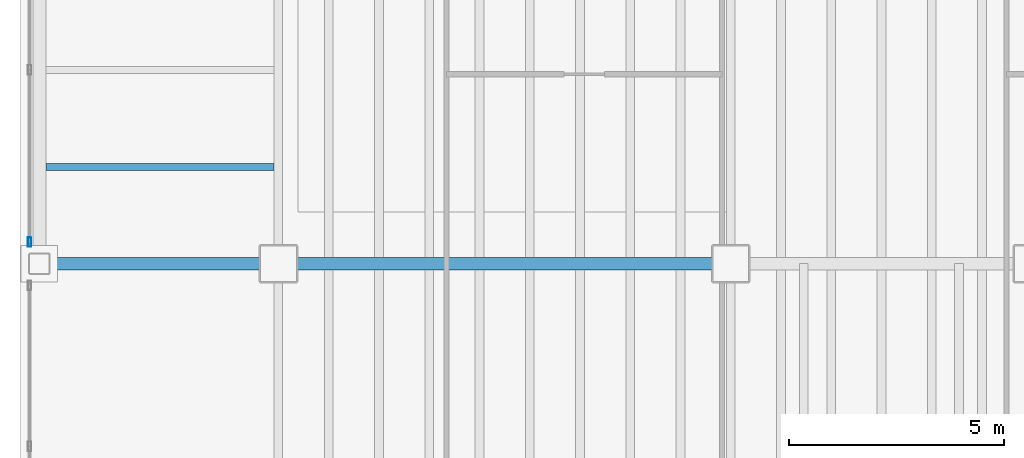
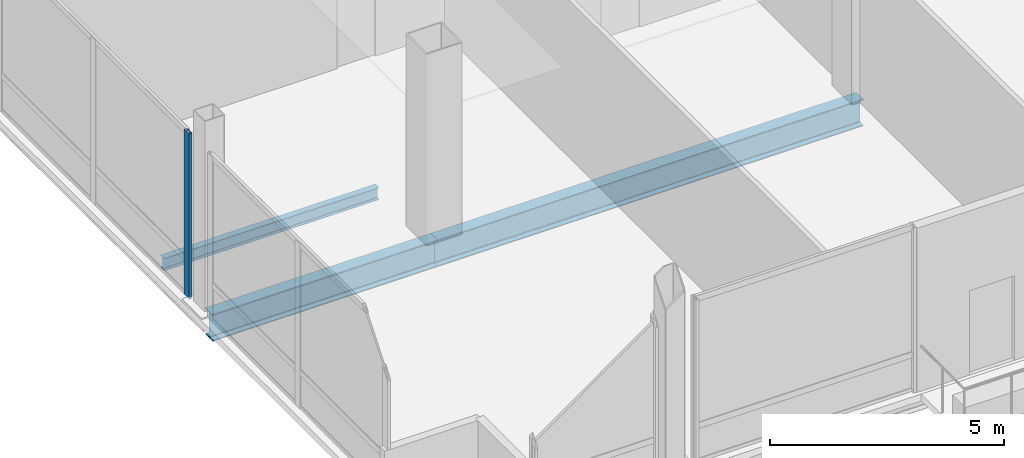
# One storey, part 4 of 22: 3 beams, 1 member, 1 element without a shape of its own.
"""IFC4 building model written with IfcOpenShell, lengths in metres."""

from ifc_helpers import new_model, si_unit, direction, frame, origin, origin_2d, place, context, subcontext, project, spatial, hollow_rectangle, i_section, extrude, material, material_profile, profile_set, type_object, element, aggregate, save


model = new_model("IFC4")

# Units and contexts
model_context = context("Model", 3, precision=1e-05, world=origin(), true_north=direction((0.0, 1.0)))
body_context = subcontext(model_context, "Body", "Model", "MODEL_VIEW")
ifc_project = project(units=[si_unit("LENGTHUNIT", "METRE"), si_unit("AREAUNIT", "SQUARE_METRE"), si_unit("VOLUMEUNIT", "CUBIC_METRE"), si_unit("PLANEANGLEUNIT", "RADIAN"), si_unit("MASSUNIT", "GRAM", prefix="KILO")], contexts=[model_context])

# Site, building, storey
site_placement = place(None, origin())
site = spatial("IfcSite", under=ifc_project, at=site_placement, CompositionType="ELEMENT")
building_placement = place(site_placement, origin())
building = spatial("IfcBuilding", under=site, at=building_placement, Name="Noeulbin Bourse Tower", CompositionType="ELEMENT")
storey_placement = place(building_placement, frame((0.0, 0.0, 106.0)))
storey = spatial("IfcBuildingStorey", under=building, at=storey_placement, Name="L26", CompositionType="ELEMENT", Elevation=106.0)

# Beams
ifc_material_1 = material(Name="Steel S355", Category="steel")
ifc_material_profile_1 = material_profile(ifc_material_1, i_section(OverallWidth=0.300048828125, OverallDepth=0.699951171875, WebThickness=0.012939453125, FlangeThickness=0.02392578125, FilletRadius=0.02392578125, at=origin_2d()), Name="H-700x300x13x24", Category="LoadBearing")
ifc_profile_set_1 = profile_set([ifc_material_profile_1], Name="Steel S355")
beam_type_1 = type_object("IfcBeamType", Name="BM-GRD-700", PredefinedType="USERDEFINED", material=ifc_profile_set_1)
beam_1_placement = place(storey_placement, frame((7.949951171875, 20.0, -0.530029296875), z_axis=(1.0, 0.0, 0.0), x_axis=(0.0, 1.0, 0.0)))
element("IfcBeam", 1, at=beam_1_placement, inside=storey, type_object=beam_type_1, Name="Tower Primary Girder EW L26-1.1", ObjectType="GIRDER", PredefinedType="USERDEFINED", context=body_context, shape_type="SweptSolid", body=[
    extrude(i_section(OverallWidth=0.300048828125, OverallDepth=0.699951171875, WebThickness=0.012939453125, FlangeThickness=0.02392578125, FilletRadius=0.02392578125, at=origin_2d()), origin(), (0.0, 0.0, 1.0), 5.550048828125),
])
beam_2_placement = place(storey_placement, frame((13.5, 20.0, -0.530029296875), z_axis=(1.0, 0.0, 0.0), x_axis=(0.0, 1.0, 0.0)))
element("IfcBeam", 2, at=beam_2_placement, inside=storey, type_object=beam_type_1, Name="Tower Primary Girder EW L26-1.2", ObjectType="GIRDER", PredefinedType="USERDEFINED", context=body_context, shape_type="SweptSolid", body=[
    extrude(i_section(OverallWidth=0.300048828125, OverallDepth=0.699951171875, WebThickness=0.012939453125, FlangeThickness=0.02392578125, FilletRadius=0.02392578125, at=origin_2d()), origin(), (0.0, 0.0, 1.0), 10.5),
])
ifc_material_profile_2 = material_profile(ifc_material_1, i_section(OverallWidth=0.159912109375, OverallDepth=0.320068359375, WebThickness=0.006591796875, FlangeThickness=0.010009765625, FilletRadius=0.012939453125, at=origin_2d()), Name="H-320x160x6.5x10", Category="LoadBearing")
ifc_profile_set_2 = profile_set([ifc_material_profile_2], Name="Steel S355")
beam_type_2 = type_object("IfcBeamType", Name="BM-JST-320", PredefinedType="JOIST", material=ifc_profile_set_2)
beam_3_placement = place(storey_placement, frame((8.10009765625, 22.25, -0.340087890625), z_axis=(1.0, 0.0, 0.0), x_axis=(0.0, 1.0, 0.0)))
element("IfcBeam", 3, at=beam_3_placement, inside=storey, type_object=beam_type_2, Name="Wing Composite Joist L26-W70", PredefinedType="JOIST", context=body_context, shape_type="SweptSolid", body=[
    extrude(i_section(OverallWidth=0.159912109375, OverallDepth=0.320068359375, WebThickness=0.006591796875, FlangeThickness=0.010009765625, FilletRadius=0.012939453125, at=origin_2d()), origin(), (0.0, 0.0, 1.0), 5.2998046875),
])

# Curtain wall, member
ifc_material_2 = material(Name="Dark Tinted Triple Glazing", Category="glass")
curtain_wall_type = type_object("IfcCurtainWallType", Name="CW-SYS-3", PredefinedType="NOTDEFINED", material=ifc_material_2)
curtain_wall_placement = place(storey_placement, origin())
curtain_wall = element("IfcCurtainWall", 4, at=curtain_wall_placement, inside=storey, type_object=curtain_wall_type, Name="Unitised Curtain Wall CW-L26-W-S2", PredefinedType="NOTDEFINED")
ifc_material_3 = material(Name="Anodised Aluminium 6063-T6", Category="aluminium")
ifc_material_profile_3 = material_profile(ifc_material_3, hollow_rectangle(XDim=0.074951171875, YDim=0.219970703125, WallThickness=0.0048828125, InnerFilletRadius=0.00244140625, OuterFilletRadius=0.0048828125, at=origin_2d()), Name="ALU-MULL-75x220x5", Category="LoadBearing")
ifc_profile_set_3 = profile_set([ifc_material_profile_3], Name="Anodised Aluminium 6063-T6")
member_type = type_object("IfcMemberType", Name="CW-SYS-3-MUL", PredefinedType="MULLION", material=ifc_profile_set_3)
member_placement = place(storey_placement, frame((7.719970703125, 20.5, -0.02001953125), z_axis=(0.0, 0.0, 1.0), x_axis=(1.0, 0.0, 0.0)))
member = element("IfcMember", 5, at=member_placement, type_object=member_type, Name="Curtain Wall Mullion CW-L26-W-S2-M00", PredefinedType="MULLION", context=body_context, shape_type="SweptSolid", body=[
    extrude(hollow_rectangle(XDim=0.074951171875, YDim=0.219970703125, WallThickness=0.0048828125, InnerFilletRadius=0.00244140625, OuterFilletRadius=0.0048828125, at=origin_2d()), origin(), (0.0, 0.0, 1.0), 4.320068359375),
])
aggregate(curtain_wall, [member])

save(model, "model.ifc")
